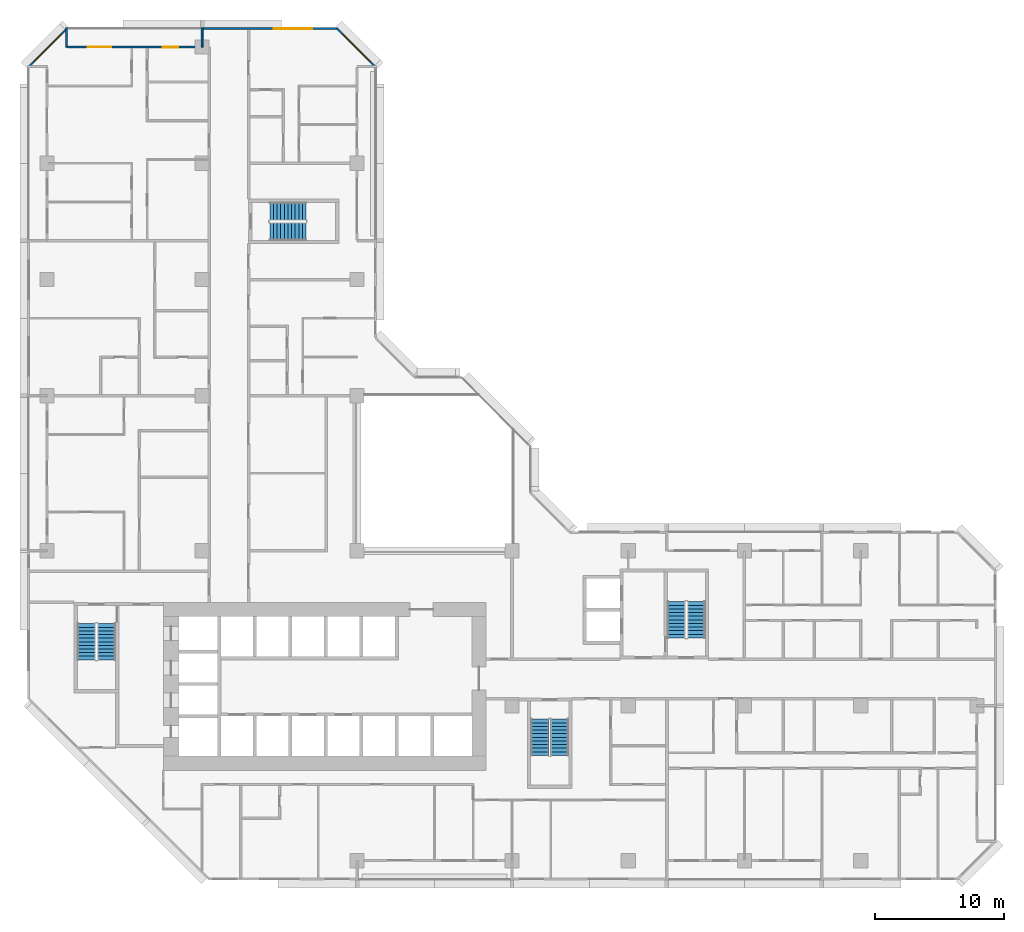
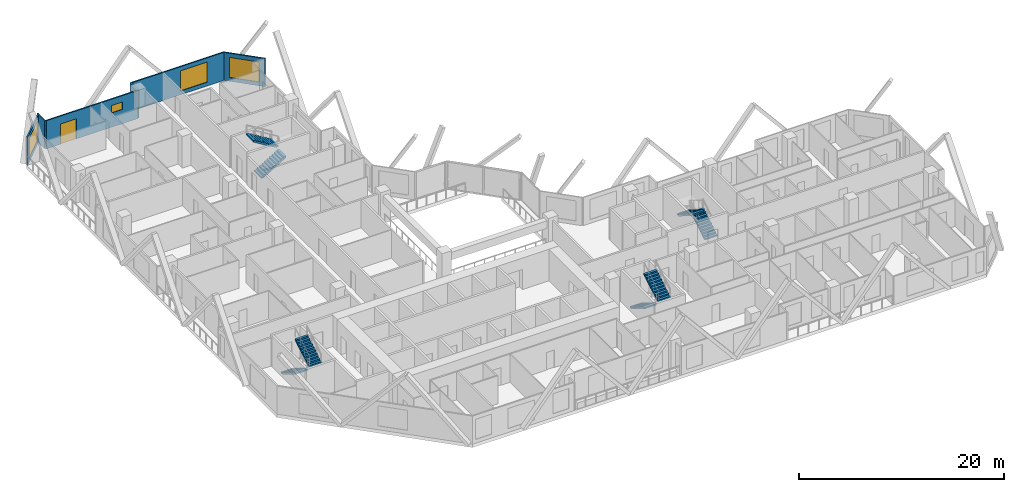
# One storey, part 14 of 16: 8 stair flights, 6 walls, 4 windows, 1 door, 5 openings, 4 elements without a shape of their own.
"""IFC4 building model written with IfcOpenShell, lengths in metres."""

from ifc_helpers import new_model, si_unit, direction, frame, frame_2d, origin, place, context, subcontext, project, spatial, polyline, rectangle, outline, extrude, material, layer, layer_set, type_object, element, fill, aggregate, save


model = new_model("IFC4")

# Units and contexts
model_context = context("Model", 3, precision=1e-05, world=origin(), true_north=direction((0.0, 1.0)))
body_context = subcontext(model_context, "Body", "Model", "MODEL_VIEW")
ifc_project = project(units=[si_unit("LENGTHUNIT", "METRE"), si_unit("AREAUNIT", "SQUARE_METRE"), si_unit("VOLUMEUNIT", "CUBIC_METRE"), si_unit("PLANEANGLEUNIT", "RADIAN"), si_unit("MASSUNIT", "GRAM", prefix="KILO")], contexts=[model_context])

# Site, building, storey
site_placement = place(None, origin())
site = spatial("IfcSite", under=ifc_project, at=site_placement, CompositionType="ELEMENT")
building_placement = place(site_placement, origin())
building = spatial("IfcBuilding", under=site, at=building_placement, Name="Chenar Terraces", CompositionType="ELEMENT")
storey_placement = place(building_placement, frame((0.0, 0.0, 78.89990234375)))
storey = spatial("IfcBuildingStorey", under=building, at=storey_placement, Name="L17", CompositionType="ELEMENT", Elevation=78.89990234375)

# Wall, opening, window
ifc_material_1 = material(Name="Aluminium framed glazing", Category="aluminium")
ifc_layer_1 = layer(ifc_material_1, 0.14990234375)
ifc_layer_set_1 = layer_set([ifc_layer_1], Name="Aluminium framed glazing")
wall_type_1 = type_object("IfcWallType", Name="Glazed flush facade wall 150", PredefinedType="SOLIDWALL", material=ifc_layer_set_1)
wall_1_placement = place(storey_placement, frame((22.5, 64.425048828125, 0.0), z_axis=(0.0, 0.0, 1.0), x_axis=(-1.0, 0.0, 0.0)))
wall_1 = element("IfcWall", 1, at=wall_1_placement, inside=storey, type_object=wall_type_1, Name="Glazed flush facade wall", PredefinedType="SOLIDWALL", context=body_context, shape_type="SweptSolid", body=[
    extrude(rectangle(XDim=10.425048828125, YDim=0.14990234375, at=frame_2d((5.21240234375, 0.0))), origin(), (0.0, 0.0, 1.0), 3.35009765625),
])
opening_1_placement = place(wall_1_placement, frame((1.949951171875, 0.0, 0.449951171875)))
opening_1 = element("IfcOpeningElement", 2, at=opening_1_placement, cuts=wall_1, Name="Opening W300x240", PredefinedType="OPENING", context=body_context, shape_type="SweptSolid", body=[
    extrude(rectangle(XDim=3.0, YDim=2.39990234375, at=frame_2d((1.5, 1.199951171875))), frame((0.0, 0.0849609375, 0.0), z_axis=(0.0, -1.0, 0.0), x_axis=(1.0, 0.0, 0.0)), (0.0, 0.0, 1.0), 0.169921875),
])
ifc_material_2 = material(Name="Low emissivity double glazing, aluminium frame", Category="aluminium")
window_type_1 = type_object("IfcWindowType", Name="Fixed light 3000 x 2400", PartitioningType="SINGLE_PANEL", PredefinedType="WINDOW", material=ifc_material_2)
window_1_placement = place(opening_1_placement, origin())
window_1 = element("IfcWindow", 3, at=window_1_placement, inside=storey, type_object=window_type_1, Name="Window", OverallHeight=2.39990234375, OverallWidth=3.0, PartitioningType="SINGLE_PANEL", PredefinedType="WINDOW", context=body_context, shape_type="SweptSolid", body=[
    extrude(rectangle(XDim=3.0, YDim=2.39990234375, at=frame_2d((1.5, 1.199951171875))), frame((0.0, 0.030029296875, 0.0), z_axis=(0.0, -1.0, 0.0), x_axis=(1.0, 0.0, 0.0)), (0.0, 0.0, 1.0), 0.06005859375),
])
fill(opening_1, window_1)

# Wall, openings, window, door
ifc_material_3 = material(Name="Aluminium framed glazing", Category="aluminium")
ifc_layer_2 = layer(ifc_material_3, 0.14990234375)
ifc_layer_set_2 = layer_set([ifc_layer_2], Name="Aluminium framed glazing")
wall_type_2 = type_object("IfcWallType", Name="Glazed loggia back wall 150", PredefinedType="SOLIDWALL", material=ifc_layer_set_2)
wall_2_placement = place(storey_placement, frame((11.925048828125, 63.0, 0.0), z_axis=(0.0, 0.0, 1.0), x_axis=(-1.0, 0.0, 0.0)))
wall_2 = element("IfcWall", 4, at=wall_2_placement, inside=storey, type_object=wall_type_2, Name="Glazed loggia back wall", PredefinedType="SOLIDWALL", context=body_context, shape_type="SweptSolid", body=[
    extrude(rectangle(XDim=10.35009765625, YDim=0.14990234375, at=frame_2d((5.175048828125, 0.0))), origin(), (0.0, 0.0, 1.0), 3.35009765625),
])
opening_2_placement = place(wall_2_placement, frame((1.77490234375, 0.0, 1.699951171875)))
opening_2 = element("IfcOpeningElement", 5, at=opening_2_placement, cuts=wall_2, Name="Opening W120x90", PredefinedType="OPENING", context=body_context, shape_type="SweptSolid", body=[
    extrude(rectangle(XDim=1.199951171875, YDim=0.89990234375, at=frame_2d((0.60009765625, 0.449951171875))), frame((0.0, 0.0849609375, 0.0), z_axis=(0.0, -1.0, 0.0), x_axis=(1.0, 0.0, 0.0)), (0.0, 0.0, 1.0), 0.169921875),
])
opening_3_placement = place(wall_2_placement, frame((6.96240234375, 0.0, 0.0)))
opening_3 = element("IfcOpeningElement", 6, at=opening_3_placement, cuts=wall_2, Name="Opening DL17-G2", PredefinedType="OPENING", context=body_context, shape_type="SweptSolid", body=[
    extrude(rectangle(XDim=1.800048828125, YDim=2.39990234375, at=frame_2d((0.89990234375, 1.199951171875))), frame((0.0, 0.0849609375, 0.0), z_axis=(0.0, -1.0, 0.0), x_axis=(1.0, 0.0, 0.0)), (0.0, 0.0, 1.0), 0.169921875),
])
ifc_material_4 = material(Name="Low emissivity double glazing, aluminium frame", Category="aluminium")
window_type_2 = type_object("IfcWindowType", Name="Fixed light 1200 x 900", PartitioningType="SINGLE_PANEL", PredefinedType="WINDOW", material=ifc_material_4)
window_2_placement = place(opening_2_placement, origin())
window_2 = element("IfcWindow", 7, at=window_2_placement, inside=storey, type_object=window_type_2, Name="Window", OverallHeight=0.89990234375, OverallWidth=1.199951171875, PartitioningType="SINGLE_PANEL", PredefinedType="WINDOW", context=body_context, shape_type="SweptSolid", body=[
    extrude(rectangle(XDim=1.199951171875, YDim=0.89990234375, at=frame_2d((0.60009765625, 0.449951171875))), frame((0.0, 0.030029296875, 0.0), z_axis=(0.0, -1.0, 0.0), x_axis=(1.0, 0.0, 0.0)), (0.0, 0.0, 1.0), 0.06005859375),
])
fill(opening_2, window_2)
ifc_material_5 = material(Name="Low emissivity double glazing, aluminium frame", Category="aluminium")
door_type = type_object("IfcDoorType", Name="Loggia glazed double door 1800 x 2400", OperationType="DOUBLE_DOOR_SINGLE_SWING", PredefinedType="DOOR", material=ifc_material_5)
door_placement = place(opening_3_placement, frame((1.800048828125, 0.0, 0.0), z_axis=(0.0, 0.0, 1.0), x_axis=(-1.0, 0.0, 0.0)))
door = element("IfcDoor", 8, at=door_placement, inside=storey, type_object=door_type, Name="Loggia glazed door", OperationType="DOUBLE_DOOR_SINGLE_SWING", OverallHeight=2.39990234375, OverallWidth=1.800048828125, PredefinedType="DOOR", context=body_context, shape_type="SweptSolid", body=[
    extrude(rectangle(XDim=1.800048828125, YDim=2.39990234375, at=frame_2d((0.89990234375, 1.199951171875))), frame((0.0, 0.02490234375, 0.0), z_axis=(0.0, -1.0, 0.0), x_axis=(1.0, 0.0, 0.0)), (0.0, 0.0, 1.0), 0.050048828125),
])
fill(opening_3, door)

# Walls
ifc_material_6 = material(Name="Terracotta cladding on insulated backing", Category="masonry")
ifc_layer_3 = layer(ifc_material_6, 0.14990234375)
ifc_layer_set_3 = layer_set([ifc_layer_3], Name="Terracotta cladding on insulated backing")
wall_type_3 = type_object("IfcWallType", Name="Loggia return wall 150", PredefinedType="SOLIDWALL", material=ifc_layer_set_3)
for number, where, z_axis, x_axis, name in (
    (9, (12.0, 64.5, 0.0), (0.0, 0.0, 1.0), (0.0, -1.0, 0.0), "Loggia return wall"),
    (10, (1.5, 64.5, 0.0), (0.0, 0.0, 1.0), (0.0, -1.0, 0.0), "Loggia return wall"),
):
    element("IfcWall", number, at=place(storey_placement, frame(where, z_axis=z_axis, x_axis=x_axis)), inside=storey, type_object=wall_type_3, Name=name, PredefinedType="SOLIDWALL", context=body_context, shape_type="SweptSolid", body=[
        extrude(rectangle(XDim=1.5, YDim=0.14990234375, at=frame_2d((0.75, 0.0))), origin(), (0.0, 0.0, 1.0), 3.35009765625),
    ])

# Wall, opening, window
ifc_material_7 = material(Name="Terracotta cladding on insulated backing", Category="masonry")
ifc_layer_4 = layer(ifc_material_7, 0.14990234375)
ifc_layer_set_4 = layer_set([ifc_layer_4], Name="Terracotta cladding on insulated backing")
wall_type_4 = type_object("IfcWallType", Name="Terracotta rainscreen wall 150", PredefinedType="SOLIDWALL", material=ifc_layer_set_4)
wall_3_placement = place(storey_placement, frame((25.447021484375, 61.447021484375, 0.0), z_axis=(0.0, 0.0, 1.0), x_axis=(-0.707106781187, 0.707106781187, 0.0)))
wall_3 = element("IfcWall", 11, at=wall_3_placement, inside=storey, type_object=wall_type_4, Name="Terracotta rainscreen wall", PredefinedType="SOLIDWALL", context=body_context, shape_type="SweptSolid", body=[
    extrude(rectangle(XDim=4.24267578125, YDim=0.14990234375, at=frame_2d((2.121337890625, 0.0))), origin(), (0.0, 0.0, 1.0), 3.35009765625),
])
opening_4_placement = place(wall_3_placement, frame((0.621337890625, 0.0, 0.449951171875)))
opening_4 = element("IfcOpeningElement", 12, at=opening_4_placement, cuts=wall_3, Name="Opening W300x240", PredefinedType="OPENING", context=body_context, shape_type="SweptSolid", body=[
    extrude(rectangle(XDim=3.0, YDim=2.39990234375, at=frame_2d((1.5, 1.199951171875))), frame((0.0, 0.0849609375, 0.0), z_axis=(0.0, -1.0, 0.0), x_axis=(1.0, 0.0, 0.0)), (0.0, 0.0, 1.0), 0.169921875),
])
window_3_placement = place(opening_4_placement, origin())
window_3 = element("IfcWindow", 13, at=window_3_placement, inside=storey, type_object=window_type_1, Name="Window", OverallHeight=2.39990234375, OverallWidth=3.0, PartitioningType="SINGLE_PANEL", PredefinedType="WINDOW", context=body_context, shape_type="SweptSolid", body=[
    extrude(rectangle(XDim=3.0, YDim=2.39990234375, at=frame_2d((1.5, 1.199951171875))), frame((0.0, 0.030029296875, 0.0), z_axis=(0.0, -1.0, 0.0), x_axis=(1.0, 0.0, 0.0)), (0.0, 0.0, 1.0), 0.06005859375),
])
fill(opening_4, window_3)

wall_4_placement = place(storey_placement, frame((1.552978515625, 64.447021484375, 0.0), z_axis=(0.0, 0.0, 1.0), x_axis=(-0.707106781187, -0.707106781187, 0.0)))
wall_4 = element("IfcWall", 14, at=wall_4_placement, inside=storey, type_object=wall_type_4, Name="Terracotta rainscreen wall", PredefinedType="SOLIDWALL", context=body_context, shape_type="SweptSolid", body=[
    extrude(rectangle(XDim=4.24267578125, YDim=0.14990234375, at=frame_2d((2.121337890625, 0.0))), origin(), (0.0, 0.0, 1.0), 3.35009765625),
])
opening_5_placement = place(wall_4_placement, frame((0.621337890625, 0.0, 0.449951171875)))
opening_5 = element("IfcOpeningElement", 15, at=opening_5_placement, cuts=wall_4, Name="Opening W300x240", PredefinedType="OPENING", context=body_context, shape_type="SweptSolid", body=[
    extrude(rectangle(XDim=3.0, YDim=2.39990234375, at=frame_2d((1.5, 1.199951171875))), frame((0.0, 0.0849609375, 0.0), z_axis=(0.0, -1.0, 0.0), x_axis=(1.0, 0.0, 0.0)), (0.0, 0.0, 1.0), 0.169921875),
])
window_4_placement = place(opening_5_placement, origin())
window_4 = element("IfcWindow", 16, at=window_4_placement, inside=storey, type_object=window_type_1, Name="Window", OverallHeight=2.39990234375, OverallWidth=3.0, PartitioningType="SINGLE_PANEL", PredefinedType="WINDOW", context=body_context, shape_type="SweptSolid", body=[
    extrude(rectangle(XDim=3.0, YDim=2.39990234375, at=frame_2d((1.5, 1.199951171875))), frame((0.0, 0.030029296875, 0.0), z_axis=(0.0, -1.0, 0.0), x_axis=(1.0, 0.0, 0.0)), (0.0, 0.0, 1.0), 0.06005859375),
])
fill(opening_5, window_4)

# Stair, stair flights
ifc_material_8 = material(Name="Reinforced concrete C40/50", Category="concrete")
stair_type = type_object("IfcStairType", Name="Core stair 1400 half-turn", PredefinedType="HALF_TURN_STAIR", material=ifc_material_8)
placement = place(storey_placement, origin())
stair_1 = element("IfcStair", 17, at=placement, inside=storey, type_object=stair_type, Name="L17 Stair 1", PredefinedType="HALF_TURN_STAIR")
ifc_material_9 = material(Name="Reinforced concrete C40/50", Category="concrete")
stair_flight_type = type_object("IfcStairFlightType", Name="Core stair flight 1400", PredefinedType="STRAIGHT", material=ifc_material_9)
stair_flight_1_placement = place(storey_placement, frame((3.050048828125, 18.35009765625, 0.0), z_axis=(0.0, 0.0, 1.0), x_axis=(0.0, -1.0, 0.0)))
stair_flight_1 = element("IfcStairFlight", 18, at=stair_flight_1_placement, type_object=stair_flight_type, Name="ST1 flight 1", NumberOfRisers=11, NumberOfTreads=10, PredefinedType="STRAIGHT", RiserHeight=0.170454545, TreadLength=0.28, context=body_context, shape_type="SweptSolid", body=[
    extrude(outline(polyline([(-0.0029296875, 0.0), (-0.0029296875, 0.17041015625), (0.0, 0.17041015625), (0.280029296875, 0.17041015625), (0.280029296875, 0.3408203125), (0.56005859375, 0.3408203125), (0.56005859375, 0.511474609375), (0.840087890625, 0.511474609375), (0.840087890625, 0.681884765625), (1.1201171875, 0.681884765625), (1.1201171875, 0.852294921875), (1.39990234375, 0.852294921875), (1.39990234375, 1.022705078125), (1.679931640625, 1.022705078125), (1.679931640625, 1.193115234375), (1.9599609375, 1.193115234375), (1.9599609375, 1.363525390625), (2.239990234375, 1.363525390625), (2.239990234375, 1.5341796875), (2.52001953125, 1.5341796875), (2.52001953125, 1.70458984375), (2.800048828125, 1.70458984375), (2.802978515625, 1.70458984375), (2.802978515625, 1.529052734375), (2.800048828125, 1.529052734375), (0.288330078125, 0.0), (-0.0029296875, 0.0)])), frame((0.0, 0.699951171875, 0.0), z_axis=(0.0, -1.0, 0.0), x_axis=(1.0, 0.0, 0.0)), (0.0, 0.0, 1.0), 1.39990234375),
])
stair_flight_2_placement = place(storey_placement, frame((4.60009765625, 15.550048828125, 1.875), z_axis=(0.0, 0.0, 1.0), x_axis=(0.0, 1.0, 0.0)))
stair_flight_2 = element("IfcStairFlight", 19, at=stair_flight_2_placement, type_object=stair_flight_type, Name="ST1 flight 2", NumberOfRisers=11, NumberOfTreads=10, PredefinedType="STRAIGHT", RiserHeight=0.170454545, TreadLength=0.28, context=body_context, shape_type="SweptSolid", body=[
    extrude(outline(polyline([(-0.0029296875, 0.0), (-0.0029296875, 0.17041015625), (0.0, 0.17041015625), (0.280029296875, 0.17041015625), (0.280029296875, 0.3408203125), (0.56005859375, 0.3408203125), (0.56005859375, 0.511474609375), (0.840087890625, 0.511474609375), (0.840087890625, 0.681884765625), (1.1201171875, 0.681884765625), (1.1201171875, 0.852294921875), (1.39990234375, 0.852294921875), (1.39990234375, 1.022705078125), (1.679931640625, 1.022705078125), (1.679931640625, 1.193115234375), (1.9599609375, 1.193115234375), (1.9599609375, 1.363525390625), (2.239990234375, 1.363525390625), (2.239990234375, 1.5341796875), (2.52001953125, 1.5341796875), (2.52001953125, 1.70458984375), (2.800048828125, 1.70458984375), (2.802978515625, 1.70458984375), (2.802978515625, 1.529052734375), (2.800048828125, 1.529052734375), (0.288330078125, 0.0), (-0.0029296875, 0.0)])), frame((0.0, 0.699951171875, 0.0), z_axis=(0.0, -1.0, 0.0), x_axis=(1.0, 0.0, 0.0)), (0.0, 0.0, 1.0), 1.39990234375),
])
aggregate(stair_1, [stair_flight_1, stair_flight_2])

stair_2 = element("IfcStair", 20, at=placement, inside=storey, type_object=stair_type, Name="L17 Stair 2", PredefinedType="HALF_TURN_STAIR")
stair_flight_3_placement = place(storey_placement, frame((38.14990234375, 10.949951171875, 0.0), z_axis=(0.0, 0.0, 1.0), x_axis=(0.0, -1.0, 0.0)))
stair_flight_3 = element("IfcStairFlight", 21, at=stair_flight_3_placement, type_object=stair_flight_type, Name="ST2 flight 1", NumberOfRisers=11, NumberOfTreads=10, PredefinedType="STRAIGHT", RiserHeight=0.170454545, TreadLength=0.28, context=body_context, shape_type="SweptSolid", body=[
    extrude(outline(polyline([(-0.0029296875, 0.0), (-0.0029296875, 0.17041015625), (0.0, 0.17041015625), (0.280029296875, 0.17041015625), (0.280029296875, 0.3408203125), (0.56005859375, 0.3408203125), (0.56005859375, 0.511474609375), (0.840087890625, 0.511474609375), (0.840087890625, 0.681884765625), (1.1201171875, 0.681884765625), (1.1201171875, 0.852294921875), (1.39990234375, 0.852294921875), (1.39990234375, 1.022705078125), (1.679931640625, 1.022705078125), (1.679931640625, 1.193115234375), (1.9599609375, 1.193115234375), (1.9599609375, 1.363525390625), (2.239990234375, 1.363525390625), (2.239990234375, 1.5341796875), (2.52001953125, 1.5341796875), (2.52001953125, 1.70458984375), (2.800048828125, 1.70458984375), (2.802978515625, 1.70458984375), (2.802978515625, 1.529052734375), (2.800048828125, 1.529052734375), (0.288330078125, 0.0), (-0.0029296875, 0.0)])), frame((0.0, 0.699951171875, 0.0), z_axis=(0.0, -1.0, 0.0), x_axis=(1.0, 0.0, 0.0)), (0.0, 0.0, 1.0), 1.39990234375),
])
stair_flight_4_placement = place(storey_placement, frame((39.699951171875, 8.14990234375, 1.875), z_axis=(0.0, 0.0, 1.0), x_axis=(0.0, 1.0, 0.0)))
stair_flight_4 = element("IfcStairFlight", 22, at=stair_flight_4_placement, type_object=stair_flight_type, Name="ST2 flight 2", NumberOfRisers=11, NumberOfTreads=10, PredefinedType="STRAIGHT", RiserHeight=0.170454545, TreadLength=0.28, context=body_context, shape_type="SweptSolid", body=[
    extrude(outline(polyline([(-0.0029296875, 0.0), (-0.0029296875, 0.17041015625), (0.0, 0.17041015625), (0.280029296875, 0.17041015625), (0.280029296875, 0.3408203125), (0.56005859375, 0.3408203125), (0.56005859375, 0.511474609375), (0.840087890625, 0.511474609375), (0.840087890625, 0.681884765625), (1.1201171875, 0.681884765625), (1.1201171875, 0.852294921875), (1.39990234375, 0.852294921875), (1.39990234375, 1.022705078125), (1.679931640625, 1.022705078125), (1.679931640625, 1.193115234375), (1.9599609375, 1.193115234375), (1.9599609375, 1.363525390625), (2.239990234375, 1.363525390625), (2.239990234375, 1.5341796875), (2.52001953125, 1.5341796875), (2.52001953125, 1.70458984375), (2.800048828125, 1.70458984375), (2.802978515625, 1.70458984375), (2.802978515625, 1.529052734375), (2.800048828125, 1.529052734375), (0.288330078125, 0.0), (-0.0029296875, 0.0)])), frame((0.0, 0.699951171875, 0.0), z_axis=(0.0, -1.0, 0.0), x_axis=(1.0, 0.0, 0.0)), (0.0, 0.0, 1.0), 1.39990234375),
])
aggregate(stair_2, [stair_flight_3, stair_flight_4])

stair_3 = element("IfcStair", 23, at=placement, inside=storey, type_object=stair_type, Name="L17 Stair 3", PredefinedType="HALF_TURN_STAIR")
stair_flight_5_placement = place(storey_placement, frame((50.27490234375, 17.25, 0.0), z_axis=(0.0, 0.0, 1.0), x_axis=(0.0, 1.0, 0.0)))
stair_flight_5 = element("IfcStairFlight", 24, at=stair_flight_5_placement, type_object=stair_flight_type, Name="ST3 flight 1", NumberOfRisers=11, NumberOfTreads=10, PredefinedType="STRAIGHT", RiserHeight=0.170454545, TreadLength=0.28, context=body_context, shape_type="SweptSolid", body=[
    extrude(outline(polyline([(-0.0029296875, 0.0), (-0.0029296875, 0.17041015625), (0.0, 0.17041015625), (0.280029296875, 0.17041015625), (0.280029296875, 0.3408203125), (0.56005859375, 0.3408203125), (0.56005859375, 0.511474609375), (0.840087890625, 0.511474609375), (0.840087890625, 0.681884765625), (1.1201171875, 0.681884765625), (1.1201171875, 0.852294921875), (1.39990234375, 0.852294921875), (1.39990234375, 1.022705078125), (1.679931640625, 1.022705078125), (1.679931640625, 1.193115234375), (1.9599609375, 1.193115234375), (1.9599609375, 1.363525390625), (2.239990234375, 1.363525390625), (2.239990234375, 1.5341796875), (2.52001953125, 1.5341796875), (2.52001953125, 1.70458984375), (2.800048828125, 1.70458984375), (2.802978515625, 1.70458984375), (2.802978515625, 1.529052734375), (2.800048828125, 1.529052734375), (0.288330078125, 0.0), (-0.0029296875, 0.0)])), frame((0.0, 0.699951171875, 0.0), z_axis=(0.0, -1.0, 0.0), x_axis=(1.0, 0.0, 0.0)), (0.0, 0.0, 1.0), 1.39990234375),
])
stair_flight_6_placement = place(storey_placement, frame((48.72509765625, 20.050048828125, 1.875), z_axis=(0.0, 0.0, 1.0), x_axis=(0.0, -1.0, 0.0)))
stair_flight_6 = element("IfcStairFlight", 25, at=stair_flight_6_placement, type_object=stair_flight_type, Name="ST3 flight 2", NumberOfRisers=11, NumberOfTreads=10, PredefinedType="STRAIGHT", RiserHeight=0.170454545, TreadLength=0.28, context=body_context, shape_type="SweptSolid", body=[
    extrude(outline(polyline([(-0.0029296875, 0.0), (-0.0029296875, 0.17041015625), (0.0, 0.17041015625), (0.280029296875, 0.17041015625), (0.280029296875, 0.3408203125), (0.56005859375, 0.3408203125), (0.56005859375, 0.511474609375), (0.840087890625, 0.511474609375), (0.840087890625, 0.681884765625), (1.1201171875, 0.681884765625), (1.1201171875, 0.852294921875), (1.39990234375, 0.852294921875), (1.39990234375, 1.022705078125), (1.679931640625, 1.022705078125), (1.679931640625, 1.193115234375), (1.9599609375, 1.193115234375), (1.9599609375, 1.363525390625), (2.239990234375, 1.363525390625), (2.239990234375, 1.5341796875), (2.52001953125, 1.5341796875), (2.52001953125, 1.70458984375), (2.800048828125, 1.70458984375), (2.802978515625, 1.70458984375), (2.802978515625, 1.529052734375), (2.800048828125, 1.529052734375), (0.288330078125, 0.0), (-0.0029296875, 0.0)])), frame((0.0, 0.699951171875, 0.0), z_axis=(0.0, -1.0, 0.0), x_axis=(1.0, 0.0, 0.0)), (0.0, 0.0, 1.0), 1.39990234375),
])
aggregate(stair_3, [stair_flight_5, stair_flight_6])

stair_4 = element("IfcStair", 26, at=placement, inside=storey, type_object=stair_type, Name="L17 Stair 4", PredefinedType="HALF_TURN_STAIR")
stair_flight_7_placement = place(storey_placement, frame((17.25, 48.72509765625, 0.0), z_axis=(0.0, 0.0, 1.0), x_axis=(1.0, 0.0, 0.0)))
stair_flight_7 = element("IfcStairFlight", 27, at=stair_flight_7_placement, type_object=stair_flight_type, Name="ST4 flight 1", NumberOfRisers=11, NumberOfTreads=10, PredefinedType="STRAIGHT", RiserHeight=0.170454545, TreadLength=0.28, context=body_context, shape_type="SweptSolid", body=[
    extrude(outline(polyline([(-0.0029296875, 0.0), (-0.0029296875, 0.17041015625), (0.0, 0.17041015625), (0.280029296875, 0.17041015625), (0.280029296875, 0.3408203125), (0.56005859375, 0.3408203125), (0.56005859375, 0.511474609375), (0.840087890625, 0.511474609375), (0.840087890625, 0.681884765625), (1.1201171875, 0.681884765625), (1.1201171875, 0.852294921875), (1.39990234375, 0.852294921875), (1.39990234375, 1.022705078125), (1.679931640625, 1.022705078125), (1.679931640625, 1.193115234375), (1.9599609375, 1.193115234375), (1.9599609375, 1.363525390625), (2.239990234375, 1.363525390625), (2.239990234375, 1.5341796875), (2.52001953125, 1.5341796875), (2.52001953125, 1.70458984375), (2.800048828125, 1.70458984375), (2.802978515625, 1.70458984375), (2.802978515625, 1.529052734375), (2.800048828125, 1.529052734375), (0.288330078125, 0.0), (-0.0029296875, 0.0)])), frame((0.0, 0.699951171875, 0.0), z_axis=(0.0, -1.0, 0.0), x_axis=(1.0, 0.0, 0.0)), (0.0, 0.0, 1.0), 1.39990234375),
])
stair_flight_8_placement = place(storey_placement, frame((20.050048828125, 50.27490234375, 1.875), z_axis=(0.0, 0.0, 1.0), x_axis=(-1.0, 0.0, 0.0)))
stair_flight_8 = element("IfcStairFlight", 28, at=stair_flight_8_placement, type_object=stair_flight_type, Name="ST4 flight 2", NumberOfRisers=11, NumberOfTreads=10, PredefinedType="STRAIGHT", RiserHeight=0.170454545, TreadLength=0.28, context=body_context, shape_type="SweptSolid", body=[
    extrude(outline(polyline([(-0.0029296875, 0.0), (-0.0029296875, 0.17041015625), (0.0, 0.17041015625), (0.280029296875, 0.17041015625), (0.280029296875, 0.3408203125), (0.56005859375, 0.3408203125), (0.56005859375, 0.511474609375), (0.840087890625, 0.511474609375), (0.840087890625, 0.681884765625), (1.1201171875, 0.681884765625), (1.1201171875, 0.852294921875), (1.39990234375, 0.852294921875), (1.39990234375, 1.022705078125), (1.679931640625, 1.022705078125), (1.679931640625, 1.193115234375), (1.9599609375, 1.193115234375), (1.9599609375, 1.363525390625), (2.239990234375, 1.363525390625), (2.239990234375, 1.5341796875), (2.52001953125, 1.5341796875), (2.52001953125, 1.70458984375), (2.800048828125, 1.70458984375), (2.802978515625, 1.70458984375), (2.802978515625, 1.529052734375), (2.800048828125, 1.529052734375), (0.288330078125, 0.0), (-0.0029296875, 0.0)])), frame((0.0, 0.699951171875, 0.0), z_axis=(0.0, -1.0, 0.0), x_axis=(1.0, 0.0, 0.0)), (0.0, 0.0, 1.0), 1.39990234375),
])
aggregate(stair_4, [stair_flight_7, stair_flight_8])

save(model, "model.ifc")
